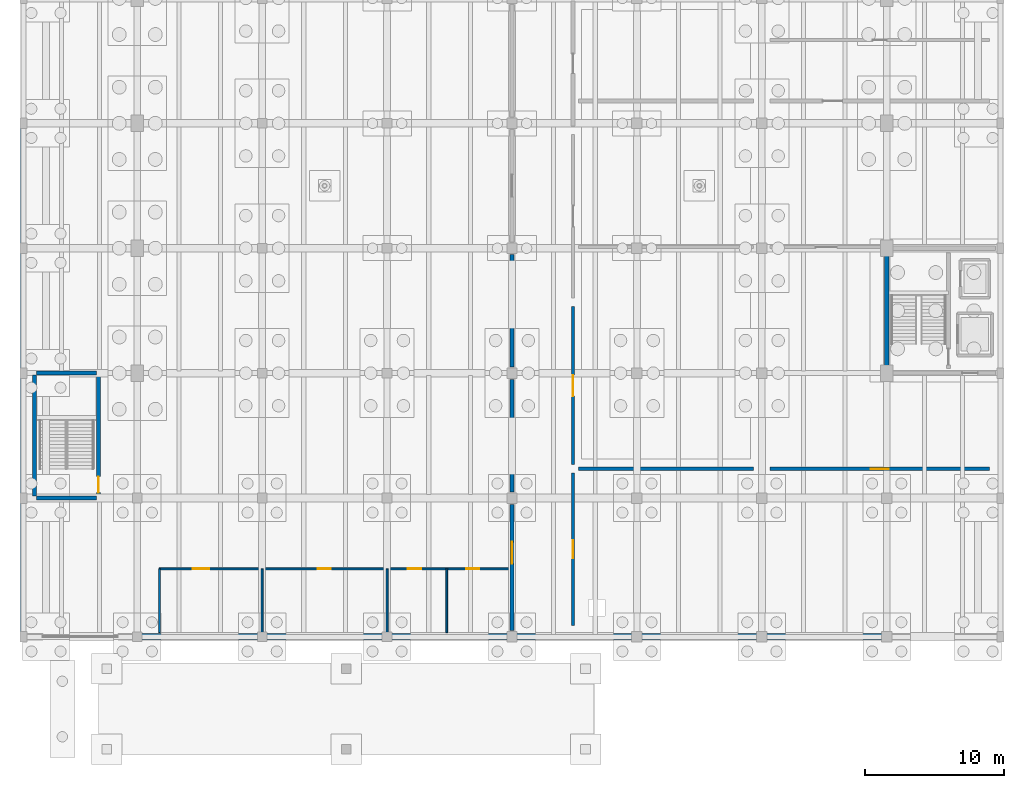
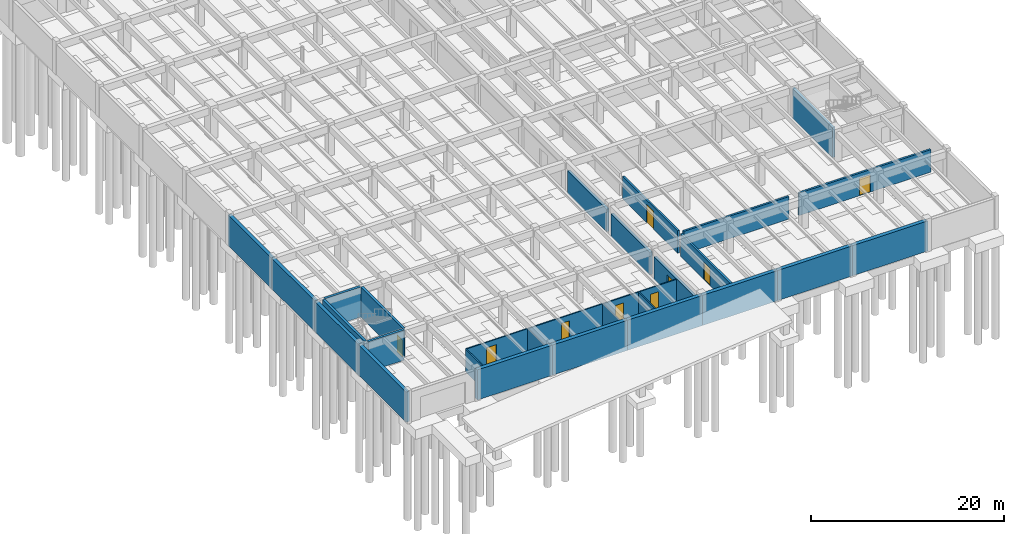
# One storey, part 17 of 23: 27 walls, 9 doors, 9 openings.
"""IFC4 building model written with IfcOpenShell, lengths in metres."""

import ifcopenshell
import ifcopenshell.guid

model = None  # the IFC model being written
_history = None  # IfcOwnerHistory: only IFC2X3 demands one
_inside = {}  # id of a spatial element -> (the spatial element, [elements in it])
_under = {}  # id of a project, library or spatial element -> (it, [spatial elements below it])
_declared = {}  # id of a project -> (the project, [libraries it declares])
_typed = {}  # id of a type object -> (the type object, [elements of that type])
_made_of = {}  # id of a material, layer set ... -> (it, [elements and type objects made of it])


def new_model(schema):
    """Start an empty IFC model of exactly this schema.

    Asked for "IFC4X3", IfcOpenShell would pick the latest addendum, in which some entities
    have other attributes; the version numbers below select the first issue.
    IFC2X3 requires an IfcOwnerHistory on every rooted entity: one is made here for all.
    """
    global model, _history
    if schema == "IFC4X3":
        model = ifcopenshell.file(schema_version=(4, 3, 0, 0))
    else:
        model = ifcopenshell.file(schema=schema)
    _inside.clear()
    _under.clear()
    _declared.clear()
    _typed.clear()
    _made_of.clear()
    _history = None
    if model.schema == "IFC2X3":
        org = make("IfcOrganization", Name="unknown")
        user = make(
            "IfcPersonAndOrganization",
            ThePerson=make("IfcPerson", FamilyName="unknown"),
            TheOrganization=org,
        )
        app = make(
            "IfcApplication",
            ApplicationDeveloper=org,
            Version="unknown",
            ApplicationFullName="unknown",
            ApplicationIdentifier="unknown",
        )
        _history = make(
            "IfcOwnerHistory",
            OwningUser=user,
            OwningApplication=app,
            ChangeAction="ADDED",
            CreationDate=0,
        )
    return model


def make(cls, **values):
    """One entity of the class cls with the attributes given. An attribute that is None is left unset."""
    return model.create_entity(
        cls, **{name: value for name, value in values.items() if value is not None}
    )


def rooted(cls, **values):
    """An entity with a GlobalId (a new one), such as an element, a storey or a relation."""
    return make(cls, GlobalId=ifcopenshell.guid.new(), OwnerHistory=_history, **values)


def si_unit(unit_type, name, prefix=None):
    """IfcSIUnit, for example si_unit("LENGTHUNIT", "METRE", prefix="MILLI")."""
    return make("IfcSIUnit", UnitType=unit_type, Prefix=prefix, Name=name)


def assignment(units):
    """IfcUnitAssignment: the units of a project."""
    return None if units is None else make("IfcUnitAssignment", Units=units)


def point(xyz):
    """IfcCartesianPoint."""
    return None if xyz is None else make("IfcCartesianPoint", Coordinates=xyz)


def direction(xyz):
    """IfcDirection."""
    return None if xyz is None else make("IfcDirection", DirectionRatios=xyz)


def frame(location, z_axis=None, x_axis=None):
    """IfcAxis2Placement3D, a coordinate frame: its origin and axes. An axis left out is left unset."""
    return make(
        "IfcAxis2Placement3D",
        Location=point(location),
        Axis=direction(z_axis),
        RefDirection=direction(x_axis),
    )


def frame_2d(location, x_axis=None):
    """IfcAxis2Placement2D, a coordinate frame in the plane: its origin and x axis."""
    return make(
        "IfcAxis2Placement2D", Location=point(location), RefDirection=direction(x_axis)
    )


def origin():
    """The frame at (0, 0, 0) with its axes left unset."""
    return frame((0.0, 0.0, 0.0))


def place(relative_to, where):
    """IfcLocalPlacement: puts the frame where relative to a parent placement (None: the world)."""
    return make(
        "IfcLocalPlacement", PlacementRelTo=relative_to, RelativePlacement=where
    )


def context(
    kind, dimensions, precision=None, world=None, true_north=None, identifier=None
):
    """IfcGeometricRepresentationContext, for example the 3D "Model" context."""
    return make(
        "IfcGeometricRepresentationContext",
        ContextIdentifier=identifier,
        ContextType=kind,
        CoordinateSpaceDimension=dimensions,
        Precision=precision,
        WorldCoordinateSystem=world,
        TrueNorth=true_north,
    )


def subcontext(parent, identifier, kind, view, scale=None):
    """IfcGeometricRepresentationSubContext, for example "Body" below "Model"."""
    return make(
        "IfcGeometricRepresentationSubContext",
        ContextIdentifier=identifier,
        ContextType=kind,
        ParentContext=parent,
        TargetScale=scale,
        TargetView=view,
    )


def project(units=None, contexts=None):
    """IfcProject with its units and contexts."""
    return rooted(
        "IfcProject",
        Name="project",
        RepresentationContexts=contexts,
        UnitsInContext=assignment(units),
    )


def spatial(cls, under=None, at=None, **own):
    """A site, building, storey or space (cls), placed at a placement, below another one or the project."""
    s = rooted(cls, ObjectPlacement=at, **own)
    if under is not None:
        _under.setdefault(under.id(), (under, []))[1].append(s)
    return s


def profile(cls, at=None, kind="AREA", **sizes):
    """A parametric profile (cls). Its sizes go by their IFC names, for example OverallWidth=200.0."""
    return make(cls, ProfileType=kind, Position=at, **sizes)


def rectangle(**sizes):
    """IfcRectangleProfileDef."""
    return profile("IfcRectangleProfileDef", **sizes)


def extrude(swept, where, along, depth):
    """IfcExtrudedAreaSolid: the profile swept, set in the frame where, extruded along a direction by depth."""
    return make(
        "IfcExtrudedAreaSolid",
        SweptArea=swept,
        Position=where,
        ExtrudedDirection=direction(along),
        Depth=depth,
    )


def shape(context_of_items, identifier, shape_type, items):
    """IfcShapeRepresentation: the items that make up one representation, for example the "Body"."""
    return make(
        "IfcShapeRepresentation",
        ContextOfItems=context_of_items,
        RepresentationIdentifier=identifier,
        RepresentationType=shape_type,
        Items=items,
    )


def material(Name=None, Category=None):
    """IfcMaterial."""
    return make("IfcMaterial", Name=Name, Category=Category)


def layer(
    of_material, thickness, ventilated=None, Name=None, Category=None, Priority=None
):
    """IfcMaterialLayer: one layer of a wall or slab, of a material (None: an air gap)."""
    return make(
        "IfcMaterialLayer",
        Material=of_material,
        LayerThickness=thickness,
        IsVentilated=ventilated,
        Name=Name,
        Category=Category,
        Priority=Priority,
    )


def layer_set(layers, Name=None):
    """IfcMaterialLayerSet."""
    return make("IfcMaterialLayerSet", MaterialLayers=layers, LayerSetName=Name)


def made_of(thing, what):
    """Note that an element or type object is made of a material, layer set ...; save() writes the relation."""
    if what is not None:
        _made_of.setdefault(what.id(), (what, []))[1].append(thing)
    return thing


def type_object(cls, material=None, **own):
    """A type object (cls), such as IfcWallType, which elements share."""
    return made_of(rooted(cls, **own), material)


def element(
    cls,
    number,
    at=None,
    inside=None,
    cuts=None,
    type_object=None,
    material=None,
    context=None,
    identifier="Body",
    shape_type=None,
    held_by="IfcProductDefinitionShape",
    body=None,
    shapes=None,
    **own,
):
    """One element of the class cls, such as IfcWall. Its Tag is "e" and its number.

    at: its placement. inside: the storey or other place that contains it. cuts: it is an
    opening in that element (IfcRelVoidsElement). A single representation is given by context,
    identifier, shape_type and body (its items); several are given by shapes. held_by: the class
    of the entity that holds the representations. save() writes the other relations.
    """
    e = rooted(cls, Tag="e%d" % number, ObjectPlacement=at, **own)
    if body is not None:
        shapes = [shape(context, identifier, shape_type, body)]
    if shapes is not None:
        e.Representation = make(held_by, Representations=shapes)
    if inside is not None:
        _inside.setdefault(inside.id(), (inside, []))[1].append(e)
    if cuts is not None:
        rooted(
            "IfcRelVoidsElement", RelatingBuildingElement=cuts, RelatedOpeningElement=e
        )
    if type_object is not None:
        _typed.setdefault(type_object.id(), (type_object, []))[1].append(e)
    return made_of(e, material)


def fill(opening, filler):
    """IfcRelFillsElement: the door or window that sits in an opening."""
    return rooted(
        "IfcRelFillsElement",
        RelatingOpeningElement=opening,
        RelatedBuildingElement=filler,
    )


def aggregate(whole, parts):
    """IfcRelAggregates: a whole, such as a stair, and the parts it consists of."""
    return rooted("IfcRelAggregates", RelatingObject=whole, RelatedObjects=parts)


def save(model, path):
    """Write the relations noted so far, then the file.

    IfcRelAggregates (storeys below a building ...), IfcRelContainedInSpatialStructure (elements
    in a storey), IfcRelDefinesByType, IfcRelAssociatesMaterial and IfcRelDeclares: one each for
    every whole, place, type object, material and project.
    """
    for whole, parts in _under.values():
        aggregate(whole, parts)
    for where, things in _inside.values():
        rooted(
            "IfcRelContainedInSpatialStructure",
            RelatedElements=things,
            RelatingStructure=where,
        )
    for kind, things in _typed.values():
        rooted("IfcRelDefinesByType", RelatedObjects=things, RelatingType=kind)
    for what, things in _made_of.values():
        rooted("IfcRelAssociatesMaterial", RelatedObjects=things, RelatingMaterial=what)
    for by, libraries in _declared.values():
        rooted("IfcRelDeclares", RelatingContext=by, RelatedDefinitions=libraries)
    model.write(path)


model = new_model("IFC4")

# Units and contexts
model_context = context("Model", 3, precision=1e-05, world=origin(), true_north=direction((0.0, 1.0)))
body_context = subcontext(model_context, "Body", "Model", "MODEL_VIEW")
ifc_project = project(units=[si_unit("LENGTHUNIT", "METRE"), si_unit("AREAUNIT", "SQUARE_METRE"), si_unit("VOLUMEUNIT", "CUBIC_METRE"), si_unit("PLANEANGLEUNIT", "RADIAN"), si_unit("MASSUNIT", "GRAM", prefix="KILO")], contexts=[model_context])

# Site, building, storey
site_placement = place(None, origin())
site = spatial("IfcSite", under=ifc_project, at=site_placement, CompositionType="ELEMENT")
building_placement = place(site_placement, origin())
building = spatial("IfcBuilding", under=site, at=building_placement, Name="Ornek Quay Market", CompositionType="ELEMENT")
storey_placement = place(building_placement, frame((0.0, 0.0, -4.199951171875)))
storey = spatial("IfcBuildingStorey", under=building, at=storey_placement, Name="B1", CompositionType="ELEMENT", Elevation=-4.199951171875)

# Wall, opening, door
ifc_material_1 = material(Name="Insulated PIR cold-store panel", Category="other")
ifc_layer_1 = layer(ifc_material_1, 0.219970703125, Name="Insulated PIR cold-store panel", Category="other")
ifc_layer_set_1 = layer_set([ifc_layer_1], Name="Insulated PIR cold-store panel")
wall_type_1 = type_object("IfcWallType", Name="WL-COLD-220", PredefinedType="PARTITIONING", material=ifc_layer_set_1)
wall_1_placement = place(storey_placement, frame((94.39990234375, 22.39990234375, 0.0), z_axis=(0.0, 0.0, 1.0), x_axis=(0.0, 1.0, 0.0)))
wall_1 = element("IfcWall", 1, at=wall_1_placement, inside=storey, type_object=wall_type_1, Name="Interior wall W-CLD1-198", PredefinedType="PARTITIONING", context=body_context, shape_type="SweptSolid", body=[
    extrude(rectangle(XDim=11.400146484375, YDim=0.219970703125, at=frame_2d((5.7001953125, 0.0))), origin(), (0.0, 0.0, 1.0), 2.849853515625),
])
opening_1_placement = place(wall_1_placement, frame((4.949951171875, 0.0, 0.0)))
opening_1 = element("IfcOpeningElement", 2, at=opening_1_placement, cuts=wall_1, Name="Opening FD-07-079", PredefinedType="OPENING", context=body_context, shape_type="SweptSolid", body=[
    extrude(rectangle(XDim=1.5, YDim=2.300048828125, at=frame_2d((0.75, 1.14990234375))), frame((0.0, 0.119873046875, 0.0), z_axis=(0.0, -1.0, 0.0), x_axis=(1.0, 0.0, 0.0)), (0.0, 0.0, 1.0), 0.239990234375),
])
ifc_material_2 = material(Name="Stainless steel PIR cold-store door", Category="steel")
door_type_1 = type_object("IfcDoorType", Name="DR-COLD-SLD-1500x2300", OperationType="SLIDING_TO_LEFT", PredefinedType="DOOR", material=ifc_material_2)
door_1_placement = place(opening_1_placement, origin())
door_1 = element("IfcDoor", 3, at=door_1_placement, inside=storey, type_object=door_type_1, Name="Interior door FD-07-079", OperationType="SLIDING_TO_LEFT", OverallHeight=2.300048828125, OverallWidth=1.5, PredefinedType="DOOR", context=body_context, shape_type="SweptSolid", body=[
    extrude(rectangle(XDim=1.5, YDim=2.300048828125, at=frame_2d((0.75, 1.14990234375))), frame((0.0, 0.02490234375, 0.0), z_axis=(0.0, -1.0, 0.0), x_axis=(1.0, 0.0, 0.0)), (0.0, 0.0, 1.0), 0.050048828125),
])
fill(opening_1, door_1)

# Walls
ifc_material_3 = material(Name="Concrete C40/50", Category="concrete")
ifc_layer_2 = layer(ifc_material_3, 0.300048828125, Name="Concrete C40/50", Category="concrete")
ifc_layer_set_2 = layer_set([ifc_layer_2], Name="Concrete C40/50")
wall_type_2 = type_object("IfcWallType", Name="WL-CORE-300", PredefinedType="SHEAR", material=ifc_layer_set_2)
wall_2_placement = place(storey_placement, frame((117.0, 29.35009765625, 0.0), z_axis=(0.0, 0.0, 1.0), x_axis=(0.0, 1.0, 0.0)))
element("IfcWall", 4, at=wall_2_placement, inside=storey, type_object=wall_type_2, Name="Interior wall W-CORE1-075", PredefinedType="SHEAR", context=body_context, shape_type="SweptSolid", body=[
    extrude(rectangle(XDim=8.2998046875, YDim=0.300048828125, at=frame_2d((4.14990234375, 0.0))), origin(), (0.0, 0.0, 1.0), 3.820068359375),
])
wall_3_placement = place(storey_placement, frame((55.60009765625, 20.14990234375, 0.0), z_axis=(0.0, 0.0, 1.0), x_axis=(0.0, 1.0, 0.0)))
element("IfcWall", 5, at=wall_3_placement, inside=storey, type_object=wall_type_2, Name="Interior wall W-CORE1-169", PredefinedType="SHEAR", context=body_context, shape_type="SweptSolid", body=[
    extrude(rectangle(XDim=8.7001953125, YDim=0.300048828125, at=frame_2d((4.35009765625, 0.0))), origin(), (0.0, 0.0, 1.0), 3.820068359375),
])

# Wall, opening, door
wall_4_placement = place(storey_placement, frame((60.199951171875, 20.14990234375, 0.0), z_axis=(0.0, 0.0, 1.0), x_axis=(0.0, 1.0, 0.0)))
wall_4 = element("IfcWall", 6, at=wall_4_placement, inside=storey, type_object=wall_type_2, Name="Interior wall W-CORE1-170", PredefinedType="SHEAR", context=body_context, shape_type="SweptSolid", body=[
    extrude(rectangle(XDim=8.7001953125, YDim=0.300048828125, at=frame_2d((4.35009765625, 0.0))), origin(), (0.0, 0.0, 1.0), 3.820068359375),
])
opening_2_placement = place(wall_4_placement, frame((0.25, 0.0, 0.0)))
opening_2 = element("IfcOpeningElement", 7, at=opening_2_placement, cuts=wall_4, Name="Opening FD-03-068", PredefinedType="OPENING", context=body_context, shape_type="SweptSolid", body=[
    extrude(rectangle(XDim=1.14990234375, YDim=2.14990234375, at=frame_2d((0.574951171875, 1.074951171875))), frame((0.0, 0.159912109375, 0.0), z_axis=(0.0, -1.0, 0.0), x_axis=(1.0, 0.0, 0.0)), (0.0, 0.0, 1.0), 0.320068359375),
])
ifc_material_4 = material(Name="Insulated fire-rated painted steel", Category="steel")
door_type_2 = type_object("IfcDoorType", Name="DR-FIRE-STAIR-1150x2150", OperationType="NOTDEFINED", PredefinedType="DOOR", material=ifc_material_4)
door_2_placement = place(opening_2_placement, origin())
door_2 = element("IfcDoor", 8, at=door_2_placement, inside=storey, type_object=door_type_2, Name="Interior door FD-03-068", OperationType="SINGLE_SWING_LEFT", OverallHeight=2.14990234375, OverallWidth=1.14990234375, PredefinedType="DOOR", context=body_context, shape_type="SweptSolid", body=[
    extrude(rectangle(XDim=1.14990234375, YDim=2.14990234375, at=frame_2d((0.574951171875, 1.074951171875))), frame((0.0, 0.02490234375, 0.0), z_axis=(0.0, -1.0, 0.0), x_axis=(1.0, 0.0, 0.0)), (0.0, 0.0, 1.0), 0.050048828125),
])
fill(opening_2, door_2)

# Walls
for number, where, z_axis, x_axis, name in (
    (9, (55.75, 20.0, 0.0), (0.0, 0.0, 1.0), (1.0, 0.0, 0.0), "Interior wall W-CORE1-171"),
    (10, (55.75, 29.0, 0.0), (0.0, 0.0, 1.0), (1.0, 0.0, 0.0), "Interior wall W-CORE1-172"),
):
    element("IfcWall", number, at=place(storey_placement, frame(where, z_axis=z_axis, x_axis=x_axis)), inside=storey, type_object=wall_type_2, Name=name, PredefinedType="SHEAR", context=body_context, shape_type="SweptSolid", body=[
        extrude(rectangle(XDim=4.300048828125, YDim=0.300048828125, at=frame_2d((2.14990234375, 0.0))), origin(), (0.0, 0.0, 1.0), 3.820068359375),
    ])

# Wall, opening, door
ifc_material_5 = material(Name="Concrete C35/45", Category="concrete")
ifc_layer_3 = layer(ifc_material_5, 0.239990234375, Name="Concrete C35/45", Category="concrete")
ifc_layer_set_3 = layer_set([ifc_layer_3], Name="Concrete C35/45")
wall_type_3 = type_object("IfcWallType", Name="WL-FIRE-240", PredefinedType="SOLIDWALL", material=ifc_layer_set_3)
wall_5_placement = place(storey_placement, frame((94.39990234375, 10.800048828125, 0.0), z_axis=(0.0, 0.0, 1.0), x_axis=(0.0, 1.0, 0.0)))
wall_5 = element("IfcWall", 11, at=wall_5_placement, inside=storey, type_object=wall_type_3, Name="Interior wall W-FIRE2-197", PredefinedType="SOLIDWALL", context=body_context, shape_type="SweptSolid", body=[
    extrude(rectangle(XDim=11.0, YDim=0.239990234375, at=frame_2d((5.5, 0.0))), origin(), (0.0, 0.0, 1.0), 2.849853515625),
])
opening_3_placement = place(wall_5_placement, frame((4.85009765625, 0.0, 0.0)))
opening_3 = element("IfcOpeningElement", 12, at=opening_3_placement, cuts=wall_5, Name="Opening FD-05-078", PredefinedType="OPENING", context=body_context, shape_type="SweptSolid", body=[
    extrude(rectangle(XDim=1.300048828125, YDim=2.199951171875, at=frame_2d((0.64990234375, 1.10009765625))), frame((0.0, 0.1298828125, 0.0), z_axis=(0.0, -1.0, 0.0), x_axis=(1.0, 0.0, 0.0)), (0.0, 0.0, 1.0), 0.260009765625),
])
door_type_3 = type_object("IfcDoorType", Name="DR-FIRE-PLANT-1300x2200", OperationType="NOTDEFINED", PredefinedType="DOOR", material=ifc_material_4)
door_3_placement = place(opening_3_placement, origin())
door_3 = element("IfcDoor", 13, at=door_3_placement, inside=storey, type_object=door_type_3, Name="Interior door FD-05-078", OperationType="SINGLE_SWING_LEFT", OverallHeight=2.199951171875, OverallWidth=1.300048828125, PredefinedType="DOOR", context=body_context, shape_type="SweptSolid", body=[
    extrude(rectangle(XDim=1.300048828125, YDim=2.199951171875, at=frame_2d((0.64990234375, 1.10009765625))), frame((0.0, 0.02490234375, 0.0), z_axis=(0.0, -1.0, 0.0), x_axis=(1.0, 0.0, 0.0)), (0.0, 0.0, 1.0), 0.050048828125),
])
fill(opening_3, door_3)

# Wall
wall_6_placement = place(storey_placement, frame((94.800048828125, 22.10009765625, 0.0), z_axis=(0.0, 0.0, 1.0), x_axis=(1.0, 0.0, 0.0)))
element("IfcWall", 14, at=wall_6_placement, inside=storey, type_object=wall_type_3, Name="Interior wall W-FIRE2-205", PredefinedType="SOLIDWALL", context=body_context, shape_type="SweptSolid", body=[
    extrude(rectangle(XDim=12.599853515625, YDim=0.239990234375, at=frame_2d((6.2998046875, 0.0))), origin(), (0.0, 0.0, 1.0), 2.849853515625),
])

# Wall, opening, door
wall_7_placement = place(storey_placement, frame((108.60009765625, 22.10009765625, 0.0), z_axis=(0.0, 0.0, 1.0), x_axis=(1.0, 0.0, 0.0)))
wall_7 = element("IfcWall", 15, at=wall_7_placement, inside=storey, type_object=wall_type_3, Name="Interior wall W-FIRE2-206", PredefinedType="SOLIDWALL", context=body_context, shape_type="SweptSolid", body=[
    extrude(rectangle(XDim=15.7998046875, YDim=0.239990234375, at=frame_2d((7.89990234375, 0.0))), origin(), (0.0, 0.0, 1.0), 2.849853515625),
])
opening_4_placement = place(wall_7_placement, frame((7.25, 0.0, 0.0)))
opening_4 = element("IfcOpeningElement", 16, at=opening_4_placement, cuts=wall_7, Name="Opening FD-05-086", PredefinedType="OPENING", context=body_context, shape_type="SweptSolid", body=[
    extrude(rectangle(XDim=1.300048828125, YDim=2.199951171875, at=frame_2d((0.64990234375, 1.10009765625))), frame((0.0, 0.1298828125, 0.0), z_axis=(0.0, -1.0, 0.0), x_axis=(1.0, 0.0, 0.0)), (0.0, 0.0, 1.0), 0.260009765625),
])
door_4_placement = place(opening_4_placement, origin())
door_4 = element("IfcDoor", 17, at=door_4_placement, inside=storey, type_object=door_type_3, Name="Interior door FD-05-086", OperationType="SINGLE_SWING_LEFT", OverallHeight=2.199951171875, OverallWidth=1.300048828125, PredefinedType="DOOR", context=body_context, shape_type="SweptSolid", body=[
    extrude(rectangle(XDim=1.300048828125, YDim=2.199951171875, at=frame_2d((0.64990234375, 1.10009765625))), frame((0.0, 0.02490234375, 0.0), z_axis=(0.0, -1.0, 0.0), x_axis=(1.0, 0.0, 0.0)), (0.0, 0.0, 1.0), 0.050048828125),
])
fill(opening_4, door_4)

ifc_layer_4 = layer(ifc_material_3, 0.320068359375, Name="Concrete C40/50", Category="concrete")
ifc_layer_set_4 = layer_set([ifc_layer_4], Name="Concrete C40/50")
wall_type_4 = type_object("IfcWallType", Name="WL-FIRE-320", PredefinedType="SOLIDWALL", material=ifc_layer_set_4)
wall_8_placement = place(storey_placement, frame((90.0, 10.449951171875, 0.0), z_axis=(0.0, 0.0, 1.0), x_axis=(0.0, 1.0, 0.0)))
wall_8 = element("IfcWall", 18, at=wall_8_placement, inside=storey, type_object=wall_type_4, Name="Interior wall W-FIRE1-186", PredefinedType="SOLIDWALL", context=body_context, shape_type="SweptSolid", body=[
    extrude(rectangle(XDim=9.10009765625, YDim=0.320068359375, at=frame_2d((4.550048828125, 0.0))), origin(), (0.0, 0.0, 1.0), 2.849853515625),
])
opening_5_placement = place(wall_8_placement, frame((4.800048828125, 0.0, 0.0)))
opening_5 = element("IfcOpeningElement", 19, at=opening_5_placement, cuts=wall_8, Name="Opening FD-02-074", PredefinedType="OPENING", context=body_context, shape_type="SweptSolid", body=[
    extrude(rectangle(XDim=1.60009765625, YDim=2.199951171875, at=frame_2d((0.800048828125, 1.10009765625))), frame((0.0, 0.169921875, 0.0), z_axis=(0.0, -1.0, 0.0), x_axis=(1.0, 0.0, 0.0)), (0.0, 0.0, 1.0), 0.340087890625),
])
door_type_4 = type_object("IfcDoorType", Name="DR-FIRE-DBL-1600x2200", OperationType="DOUBLE_DOOR_SINGLE_SWING", PredefinedType="DOOR", material=ifc_material_4)
door_5_placement = place(opening_5_placement, origin())
door_5 = element("IfcDoor", 20, at=door_5_placement, inside=storey, type_object=door_type_4, Name="Interior door FD-02-074", OperationType="DOUBLE_DOOR_SINGLE_SWING", OverallHeight=2.199951171875, OverallWidth=1.60009765625, PredefinedType="DOOR", context=body_context, shape_type="SweptSolid", body=[
    extrude(rectangle(XDim=1.60009765625, YDim=2.199951171875, at=frame_2d((0.800048828125, 1.10009765625))), frame((0.0, 0.02490234375, 0.0), z_axis=(0.0, -1.0, 0.0), x_axis=(1.0, 0.0, 0.0)), (0.0, 0.0, 1.0), 0.050048828125),
])
fill(opening_5, door_5)

# Walls
for number, where, z_axis, x_axis, name in (
    (21, (90.0, 20.449951171875, 0.0), (0.0, 0.0, 1.0), (0.0, 1.0, 0.0), "Interior wall W-FIRE1-187"),
    (22, (90.0, 29.449951171875, 0.0), (0.0, 0.0, 1.0), (0.0, 1.0, 0.0), "Interior wall W-FIRE1-188"),
):
    element("IfcWall", number, at=place(storey_placement, frame(where, z_axis=z_axis, x_axis=x_axis)), inside=storey, type_object=wall_type_4, Name=name, PredefinedType="SOLIDWALL", context=body_context, shape_type="SweptSolid", body=[
        extrude(rectangle(XDim=8.10009765625, YDim=0.320068359375, at=frame_2d((4.050048828125, 0.0))), origin(), (0.0, 0.0, 1.0), 2.849853515625),
    ])
ifc_layer_5 = layer(ifc_material_5, 0.39990234375, Name="Concrete C35/45", Category="concrete")
ifc_layer_set_5 = layer_set([ifc_layer_5], Name="Concrete C35/45")
wall_type_5 = type_object("IfcWallType", Name="WL-RET-400", PredefinedType="USERDEFINED", material=ifc_layer_set_5)
wall_9_placement = place(storey_placement, frame((54.800048828125, 10.0, 0.0), z_axis=(0.0, 0.0, 1.0), x_axis=(0.0, 1.0, 0.0)))
element("IfcWall", 23, at=wall_9_placement, inside=storey, type_object=wall_type_5, Name="Exterior wall EW-017", ObjectType="RETAINING WALL", PredefinedType="USERDEFINED", context=body_context, shape_type="SweptSolid", body=[
    extrude(rectangle(XDim=10.0, YDim=0.39990234375, at=frame_2d((5.0, 0.0))), origin(), (0.0, 0.0, 1.0), 3.820068359375),
])
wall_10_placement = place(storey_placement, frame((54.800048828125, 20.0, 0.0), z_axis=(0.0, 0.0, 1.0), x_axis=(0.0, 1.0, 0.0)))
element("IfcWall", 24, at=wall_10_placement, inside=storey, type_object=wall_type_5, Name="Exterior wall EW-019", ObjectType="RETAINING WALL", PredefinedType="USERDEFINED", context=body_context, shape_type="SweptSolid", body=[
    extrude(rectangle(XDim=9.0, YDim=0.39990234375, at=frame_2d((4.5, 0.0))), origin(), (0.0, 0.0, 1.0), 3.820068359375),
])
for number, where, z_axis, x_axis, name in (
    (25, (54.800048828125, 29.0, 0.0), (0.0, 0.0, 1.0), (0.0, 1.0, 0.0), "Exterior wall EW-021"),
    (26, (54.800048828125, 38.0, 0.0), (0.0, 0.0, 1.0), (0.0, 1.0, 0.0), "Exterior wall EW-023"),
):
    element("IfcWall", number, at=place(storey_placement, frame(where, z_axis=z_axis, x_axis=x_axis)), inside=storey, type_object=wall_type_5, Name=name, ObjectType="RETAINING WALL", PredefinedType="USERDEFINED", context=body_context, shape_type="SweptSolid", body=[
        extrude(rectangle(XDim=9.0, YDim=0.39990234375, at=frame_2d((4.5, 0.0))), origin(), (0.0, 0.0, 1.0), 3.85986328125),
    ])
ifc_layer_6 = layer(ifc_material_5, 0.449951171875, Name="Concrete C35/45", Category="concrete")
ifc_layer_set_6 = layer_set([ifc_layer_6], Name="Concrete C35/45")
wall_type_6 = type_object("IfcWallType", Name="WL-RET-450", PredefinedType="USERDEFINED", material=ifc_layer_set_6)
for number, where, z_axis, x_axis, name in (
    (27, (63.0, 10.0, 0.0), (0.0, 0.0, 1.0), (1.0, 0.0, 0.0), "Exterior wall EW-003"),
    (28, (72.0, 10.0, 0.0), (0.0, 0.0, 1.0), (1.0, 0.0, 0.0), "Exterior wall EW-005"),
    (29, (81.0, 10.0, 0.0), (0.0, 0.0, 1.0), (1.0, 0.0, 0.0), "Exterior wall EW-007"),
    (30, (90.0, 10.0, 0.0), (0.0, 0.0, 1.0), (1.0, 0.0, 0.0), "Exterior wall EW-009"),
    (31, (99.0, 10.0, 0.0), (0.0, 0.0, 1.0), (1.0, 0.0, 0.0), "Exterior wall EW-011"),
    (32, (108.0, 10.0, 0.0), (0.0, 0.0, 1.0), (1.0, 0.0, 0.0), "Exterior wall EW-013"),
):
    element("IfcWall", number, at=place(storey_placement, frame(where, z_axis=z_axis, x_axis=x_axis)), inside=storey, type_object=wall_type_6, Name=name, ObjectType="RETAINING WALL", PredefinedType="USERDEFINED", context=body_context, shape_type="SweptSolid", body=[
        extrude(rectangle(XDim=9.0, YDim=0.449951171875, at=frame_2d((4.5, 0.0))), origin(), (0.0, 0.0, 1.0), 3.820068359375),
    ])

# Wall, openings, doors
ifc_material_6 = material(Name="Moisture-resistant masonry partition", Category="masonry")
ifc_layer_7 = layer(ifc_material_6, 0.139892578125, Name="Moisture-resistant masonry partition", Category="masonry")
ifc_layer_set_7 = layer_set([ifc_layer_7], Name="Moisture-resistant masonry partition")
wall_type_7 = type_object("IfcWallType", Name="WL-WC-140", PredefinedType="PARTITIONING", material=ifc_layer_set_7)
wall_11_placement = place(storey_placement, frame((64.60009765625, 14.89990234375, 0.0), z_axis=(0.0, 0.0, 1.0), x_axis=(1.0, 0.0, 0.0)))
wall_11 = element("IfcWall", 33, at=wall_11_placement, inside=storey, type_object=wall_type_7, Name="Interior wall W-INT4-219", PredefinedType="PARTITIONING", context=body_context, shape_type="SweptSolid", body=[
    extrude(rectangle(XDim=25.199951171875, YDim=0.139892578125, at=frame_2d((12.60009765625, 0.0))), origin(), (0.0, 0.0, 1.0), 2.849853515625),
])
opening_6_placement = place(wall_11_placement, frame((2.39990234375, 0.0, 0.0)))
opening_6 = element("IfcOpeningElement", 34, at=opening_6_placement, cuts=wall_11, Name="Opening ID-02-093", PredefinedType="OPENING", context=body_context, shape_type="SweptSolid", body=[
    extrude(rectangle(XDim=1.199951171875, YDim=2.14990234375, at=frame_2d((0.60009765625, 1.074951171875))), frame((0.0, 0.079833984375, 0.0), z_axis=(0.0, -1.0, 0.0), x_axis=(1.0, 0.0, 0.0)), (0.0, 0.0, 1.0), 0.159912109375),
])
opening_7_placement = place(wall_11_placement, frame((11.39990234375, 0.0, 0.0)))
opening_7 = element("IfcOpeningElement", 35, at=opening_7_placement, cuts=wall_11, Name="Opening ID-04-094", PredefinedType="OPENING", context=body_context, shape_type="SweptSolid", body=[
    extrude(rectangle(XDim=0.949951171875, YDim=2.10009765625, at=frame_2d((0.47509765625, 1.050048828125))), frame((0.0, 0.079833984375, 0.0), z_axis=(0.0, -1.0, 0.0), x_axis=(1.0, 0.0, 0.0)), (0.0, 0.0, 1.0), 0.159912109375),
])
opening_8_placement = place(wall_11_placement, frame((17.89990234375, 0.0, 0.0)))
opening_8 = element("IfcOpeningElement", 36, at=opening_8_placement, cuts=wall_11, Name="Opening ID-04-095", PredefinedType="OPENING", context=body_context, shape_type="SweptSolid", body=[
    extrude(rectangle(XDim=0.949951171875, YDim=2.10009765625, at=frame_2d((0.47509765625, 1.050048828125))), frame((0.0, 0.079833984375, 0.0), z_axis=(0.0, -1.0, 0.0), x_axis=(1.0, 0.0, 0.0)), (0.0, 0.0, 1.0), 0.159912109375),
])
opening_9_placement = place(wall_11_placement, frame((22.10009765625, 0.0, 0.0)))
opening_9 = element("IfcOpeningElement", 37, at=opening_9_placement, cuts=wall_11, Name="Opening FD-06-096", PredefinedType="OPENING", context=body_context, shape_type="SweptSolid", body=[
    extrude(rectangle(XDim=0.949951171875, YDim=2.050048828125, at=frame_2d((0.47509765625, 1.02490234375))), frame((0.0, 0.079833984375, 0.0), z_axis=(0.0, -1.0, 0.0), x_axis=(1.0, 0.0, 0.0)), (0.0, 0.0, 1.0), 0.159912109375),
])
door_type_5 = type_object("IfcDoorType", Name="DR-FIRE-RISER-950x2050", OperationType="NOTDEFINED", PredefinedType="DOOR", material=ifc_material_4)
door_6_placement = place(opening_9_placement, origin())
door_6 = element("IfcDoor", 38, at=door_6_placement, inside=storey, type_object=door_type_5, Name="Interior door FD-06-096", OperationType="SINGLE_SWING_LEFT", OverallHeight=2.050048828125, OverallWidth=0.949951171875, PredefinedType="DOOR", context=body_context, shape_type="SweptSolid", body=[
    extrude(rectangle(XDim=0.949951171875, YDim=2.050048828125, at=frame_2d((0.47509765625, 1.02490234375))), frame((0.0, 0.02490234375, 0.0), z_axis=(0.0, -1.0, 0.0), x_axis=(1.0, 0.0, 0.0)), (0.0, 0.0, 1.0), 0.050048828125),
])
fill(opening_9, door_6)
ifc_material_7 = material(Name="Acoustic solid oak door", Category="other")
door_type_6 = type_object("IfcDoorType", Name="DR-INT-STUDIO-1200x2150", OperationType="NOTDEFINED", PredefinedType="DOOR", material=ifc_material_7)
door_7_placement = place(opening_6_placement, origin())
door_7 = element("IfcDoor", 39, at=door_7_placement, inside=storey, type_object=door_type_6, Name="Interior door ID-02-093", OperationType="SINGLE_SWING_RIGHT", OverallHeight=2.14990234375, OverallWidth=1.199951171875, PredefinedType="DOOR", context=body_context, shape_type="SweptSolid", body=[
    extrude(rectangle(XDim=1.199951171875, YDim=2.14990234375, at=frame_2d((0.60009765625, 1.074951171875))), frame((0.0, 0.02490234375, 0.0), z_axis=(0.0, -1.0, 0.0), x_axis=(1.0, 0.0, 0.0)), (0.0, 0.0, 1.0), 0.050048828125),
])
fill(opening_6, door_7)
ifc_material_8 = material(Name="Moisture-resistant laminate door", Category="other")
door_type_7 = type_object("IfcDoorType", Name="DR-INT-WC-950x2100", OperationType="NOTDEFINED", PredefinedType="DOOR", material=ifc_material_8)
door_8_placement = place(opening_7_placement, origin())
door_8 = element("IfcDoor", 40, at=door_8_placement, inside=storey, type_object=door_type_7, Name="Interior door ID-04-094", OperationType="SINGLE_SWING_LEFT", OverallHeight=2.10009765625, OverallWidth=0.949951171875, PredefinedType="DOOR", context=body_context, shape_type="SweptSolid", body=[
    extrude(rectangle(XDim=0.949951171875, YDim=2.10009765625, at=frame_2d((0.47509765625, 1.050048828125))), frame((0.0, 0.02490234375, 0.0), z_axis=(0.0, -1.0, 0.0), x_axis=(1.0, 0.0, 0.0)), (0.0, 0.0, 1.0), 0.050048828125),
])
fill(opening_7, door_8)
door_9_placement = place(opening_8_placement, origin())
door_9 = element("IfcDoor", 41, at=door_9_placement, inside=storey, type_object=door_type_7, Name="Interior door ID-04-095", OperationType="SINGLE_SWING_RIGHT", OverallHeight=2.10009765625, OverallWidth=0.949951171875, PredefinedType="DOOR", context=body_context, shape_type="SweptSolid", body=[
    extrude(rectangle(XDim=0.949951171875, YDim=2.10009765625, at=frame_2d((0.47509765625, 1.050048828125))), frame((0.0, 0.02490234375, 0.0), z_axis=(0.0, -1.0, 0.0), x_axis=(1.0, 0.0, 0.0)), (0.0, 0.0, 1.0), 0.050048828125),
])
fill(opening_8, door_9)

# Walls
for number, where, z_axis, x_axis, name in (
    (42, (64.60009765625, 10.300048828125, 0.0), (0.0, 0.0, 1.0), (0.0, 1.0, 0.0), "Interior wall W-INT4-220"),
    (43, (72.0, 10.300048828125, 0.0), (0.0, 0.0, 1.0), (0.0, 1.0, 0.0), "Interior wall W-INT4-221"),
    (44, (81.0, 10.300048828125, 0.0), (0.0, 0.0, 1.0), (0.0, 1.0, 0.0), "Interior wall W-INT4-222"),
    (45, (85.300048828125, 10.300048828125, 0.0), (0.0, 0.0, 1.0), (0.0, 1.0, 0.0), "Interior wall W-INT4-223"),
):
    element("IfcWall", number, at=place(storey_placement, frame(where, z_axis=z_axis, x_axis=x_axis)), inside=storey, type_object=wall_type_7, Name=name, PredefinedType="PARTITIONING", context=body_context, shape_type="SweptSolid", body=[
        extrude(rectangle(XDim=4.599853515625, YDim=0.139892578125, at=frame_2d((2.2998046875, 0.0))), origin(), (0.0, 0.0, 1.0), 2.849853515625),
    ])

save(model, "model.ifc")
